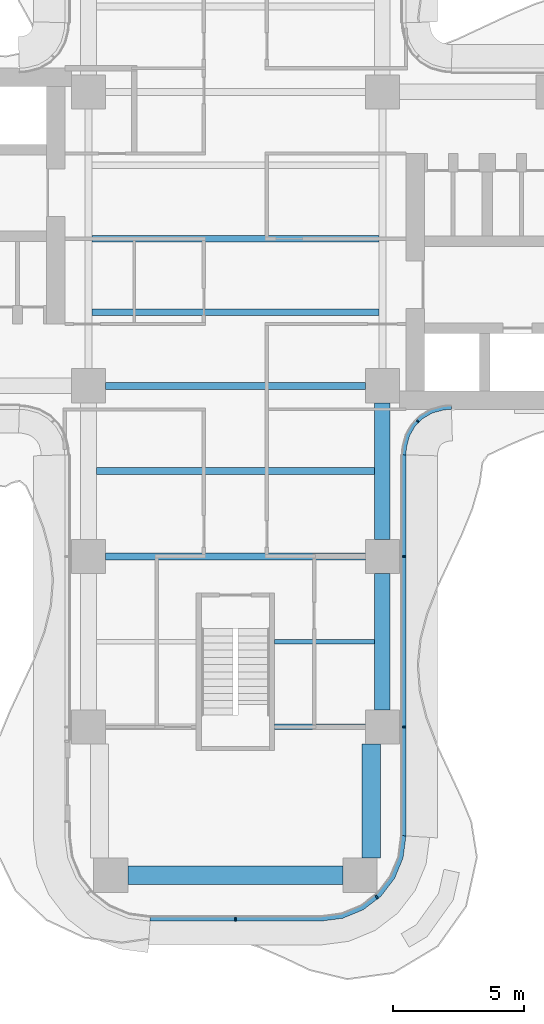
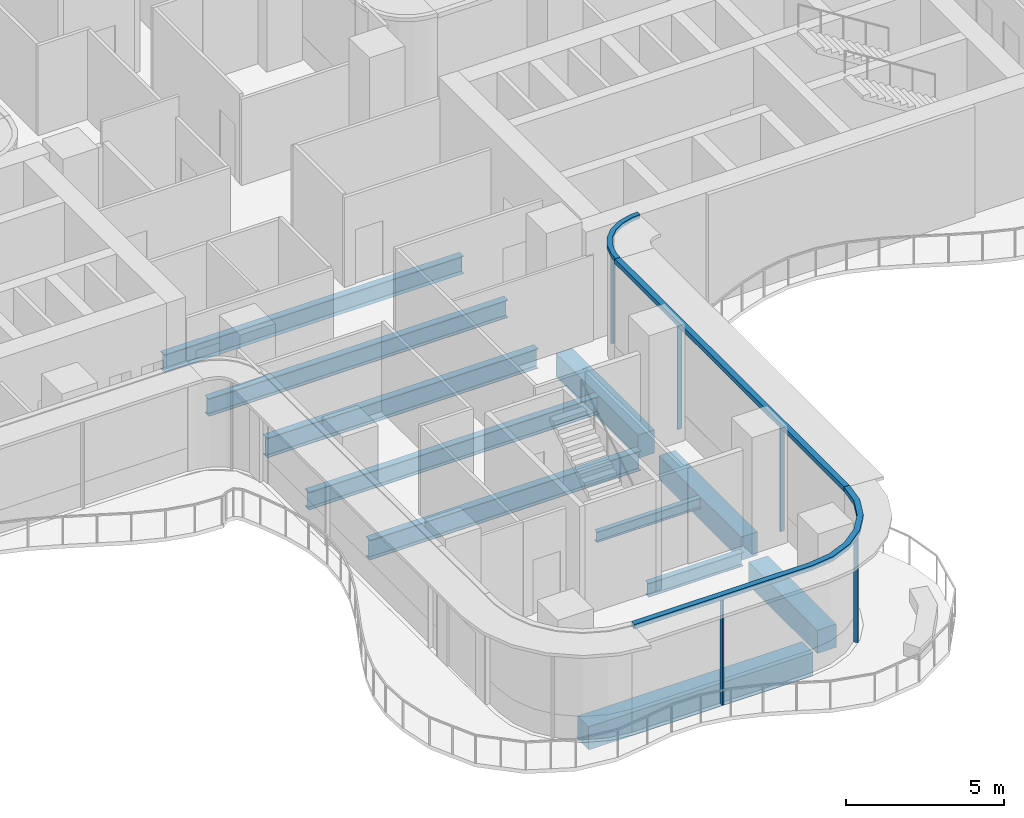
# One storey, part 5 of 20: 11 beams, 8 members, 3 elements without a shape of their own.
"""IFC4 building model written with IfcOpenShell, lengths in metres."""

from ifc_helpers import new_model, si_unit, direction, frame, origin, origin_2d, place, context, subcontext, project, spatial, polyline, rectangle, i_section, outline, extrude, source, transform, mapped, material, layer, layer_set, material_profile, profile_set, type_object, element, aggregate, save


model = new_model("IFC4")

# Units and contexts
model_context = context("Model", 3, precision=1e-05, world=origin(), true_north=direction((0.0, 1.0)))
body_context = subcontext(model_context, "Body", "Model", "MODEL_VIEW")
ifc_project = project(units=[si_unit("LENGTHUNIT", "METRE"), si_unit("AREAUNIT", "SQUARE_METRE"), si_unit("VOLUMEUNIT", "CUBIC_METRE"), si_unit("PLANEANGLEUNIT", "RADIAN"), si_unit("MASSUNIT", "GRAM", prefix="KILO")], contexts=[model_context])

# Site, building, storey
site_placement = place(None, origin())
site = spatial("IfcSite", under=ifc_project, at=site_placement, CompositionType="ELEMENT")
building_placement = place(site_placement, origin())
building = spatial("IfcBuilding", under=site, at=building_placement, Name="Trellis Farm Tower", CompositionType="ELEMENT")
storey_placement = place(building_placement, frame((0.0, 0.0, 142.5)))
storey = spatial("IfcBuildingStorey", under=building, at=storey_placement, Name="L30", CompositionType="ELEMENT", Elevation=142.5)

# Beams
ifc_material_1 = material(Name="Steel S355", Category="steel")
ifc_material_profile_1 = material_profile(ifc_material_1, i_section(OverallWidth=0.253662109375, OverallDepth=0.68359375, WebThickness=0.012451171875, FlangeThickness=0.021728515625, FilletRadius=0.01513671875, at=origin_2d()), Name="UB 686x254x140")
ifc_profile_set_1 = profile_set([ifc_material_profile_1], Name="Steel S355")
beam_type_1 = type_object("IfcBeamType", Name="UB 686x254x140 joist", PredefinedType="JOIST", material=ifc_profile_set_1)
shared_shape_1 = source(origin(), body_context, "Body", "SweptSolid", [
    extrude(i_section(OverallWidth=0.253662109375, OverallDepth=0.68359375, WebThickness=0.012451171875, FlangeThickness=0.021728515625, FilletRadius=0.01513671875, at=origin_2d()), origin(), (0.0, 0.0, 1.0), 10.93310546875),
])
for number, where, z_axis, x_axis, name in (
    (1, (-5.466552734375, -2.800048828125, -0.591796875), (1.0, 0.0, 0.0), (0.0, 1.0, 0.0), "Floor beam"),
    (2, (-5.466552734375, 0.0, -0.591796875), (1.0, 0.0, 0.0), (0.0, 1.0, 0.0), "Floor beam"),
):
    element("IfcBeam", number, at=place(storey_placement, frame(where, z_axis=z_axis, x_axis=x_axis)), inside=storey, type_object=beam_type_1, Name=name, PredefinedType="JOIST", context=body_context, shape_type="MappedRepresentation", body=[
        mapped(shared_shape_1, transform((0.0, 0.0, 0.0))),
    ])
ifc_material_profile_2 = material_profile(ifc_material_1, i_section(OverallWidth=0.177978515625, OverallDepth=0.406494140625, WebThickness=0.0078125, FlangeThickness=0.0126953125, FilletRadius=0.01025390625, at=origin_2d()), Name="UB 406x178x60")
ifc_profile_set_2 = profile_set([ifc_material_profile_2], Name="Steel S355")
beam_type_2 = type_object("IfcBeamType", Name="UB 406x178x60 joist", PredefinedType="JOIST", material=ifc_profile_set_2)
shared_shape_2 = source(origin(), body_context, "Body", "SweptSolid", [
    extrude(i_section(OverallWidth=0.177978515625, OverallDepth=0.406494140625, WebThickness=0.0078125, FlangeThickness=0.0126953125, FilletRadius=0.01025390625, at=origin_2d()), origin(), (0.0, 0.0, 1.0), 3.800048828125),
])
beam_1_placement = place(storey_placement, frame((1.5, -15.35009765625, -0.453125), z_axis=(1.0, 0.0, 0.0), x_axis=(0.0, 1.0, 0.0)))
element("IfcBeam", 3, at=beam_1_placement, inside=storey, type_object=beam_type_2, Name="Floor beam", PredefinedType="JOIST", context=body_context, shape_type="MappedRepresentation", body=[
    mapped(shared_shape_2, transform((0.0, 0.0, 0.0))),
])
shared_shape_3 = source(origin(), body_context, "Body", "SweptSolid", [
    extrude(i_section(OverallWidth=0.253662109375, OverallDepth=0.68359375, WebThickness=0.012451171875, FlangeThickness=0.021728515625, FilletRadius=0.01513671875, at=origin_2d()), origin(), (0.0, 0.0, 1.0), 10.60009765625),
])
beam_2_placement = place(storey_placement, frame((-5.300048828125, -8.85009765625, -0.591796875), z_axis=(1.0, 0.0, 0.0), x_axis=(0.0, 1.0, 0.0)))
element("IfcBeam", 4, at=beam_2_placement, inside=storey, type_object=beam_type_1, Name="Floor beam", PredefinedType="JOIST", context=body_context, shape_type="MappedRepresentation", body=[
    mapped(shared_shape_3, transform((0.0, 0.0, 0.0))),
])
ifc_material_profile_3 = material_profile(ifc_material_1, i_section(OverallWidth=0.209228515625, OverallDepth=0.533203125, WebThickness=0.010009765625, FlangeThickness=0.015625, FilletRadius=0.0126953125, at=origin_2d()), Name="UB 533x210x92")
ifc_profile_set_3 = profile_set([ifc_material_profile_3], Name="Steel S355")
beam_type_3 = type_object("IfcBeamType", Name="UB 533x210x92", PredefinedType="BEAM", material=ifc_profile_set_3)
shared_shape_4 = source(origin(), body_context, "Body", "SweptSolid", [
    extrude(i_section(OverallWidth=0.209228515625, OverallDepth=0.533203125, WebThickness=0.010009765625, FlangeThickness=0.015625, FilletRadius=0.0126953125, at=origin_2d()), origin(), (0.0, 0.0, 1.0), 3.449951171875),
])
beam_3_placement = place(storey_placement, frame((1.5, -18.60009765625, -0.5166015625), z_axis=(1.0, 0.0, 0.0), x_axis=(0.0, 1.0, 0.0)))
element("IfcBeam", 5, at=beam_3_placement, inside=storey, type_object=beam_type_3, Name="Girder", PredefinedType="BEAM", context=body_context, shape_type="MappedRepresentation", body=[
    mapped(shared_shape_4, transform((0.0, 0.0, 0.0))),
])
ifc_material_profile_4 = material_profile(ifc_material_1, i_section(OverallWidth=0.2666015625, OverallDepth=0.76220703125, WebThickness=0.014404296875, FlangeThickness=0.021484375, FilletRadius=0.0166015625, at=origin_2d()), Name="UB 762x267x173")
ifc_profile_set_4 = profile_set([ifc_material_profile_4], Name="Steel S355")
beam_type_4 = type_object("IfcBeamType", Name="UB 762x267x173", PredefinedType="BEAM", material=ifc_profile_set_4)
shared_shape_5 = source(origin(), body_context, "Body", "SweptSolid", [
    extrude(i_section(OverallWidth=0.2666015625, OverallDepth=0.76220703125, WebThickness=0.014404296875, FlangeThickness=0.021484375, FilletRadius=0.0166015625, at=origin_2d()), origin(), (0.0, 0.0, 1.0), 9.89990234375),
])
for number, where, z_axis, x_axis, name in (
    (6, (-4.949951171875, -12.10009765625, -0.631103515625), (1.0, 0.0, 0.0), (0.0, 1.0, 0.0), "Girder"),
    (7, (-4.949951171875, -5.60009765625, -0.631103515625), (1.0, 0.0, 0.0), (0.0, 1.0, 0.0), "Girder"),
):
    element("IfcBeam", number, at=place(storey_placement, frame(where, z_axis=z_axis, x_axis=x_axis)), inside=storey, type_object=beam_type_4, Name=name, PredefinedType="BEAM", context=body_context, shape_type="MappedRepresentation", body=[
        mapped(shared_shape_5, transform((0.0, 0.0, 0.0))),
    ])
ifc_material_2 = material(Name="Concrete C60/75", Category="concrete")
ifc_material_profile_5 = material_profile(ifc_material_2, rectangle(XDim=0.60009765625, YDim=0.89990234375, at=origin_2d()), Name="RC spandrel beam 600x900 C60/75")
ifc_profile_set_5 = profile_set([ifc_material_profile_5], Name="Concrete C60/75")
beam_type_5 = type_object("IfcBeamType", Name="RC spandrel beam 600x900 C60/75", PredefinedType="SPANDREL", material=ifc_profile_set_5)
shared_shape_6 = source(origin(), body_context, "Body", "SweptSolid", [
    extrude(rectangle(XDim=0.60009765625, YDim=0.89990234375, at=origin_2d()), origin(), (0.0, 0.0, 1.0), 5.199951171875),
])
for number, where, z_axis, x_axis, name in (
    (8, (5.60009765625, -17.949951171875, -0.699951171875), (0.0, 1.0, 0.0), (-1.0, 0.0, 0.0), "Girder"),
    (9, (5.60009765625, -11.449951171875, -0.699951171875), (0.0, 1.0, 0.0), (-1.0, 0.0, 0.0), "Girder"),
):
    element("IfcBeam", number, at=place(storey_placement, frame(where, z_axis=z_axis, x_axis=x_axis)), inside=storey, type_object=beam_type_5, Name=name, PredefinedType="SPANDREL", context=body_context, shape_type="MappedRepresentation", body=[
        mapped(shared_shape_6, transform((0.0, 0.0, 0.0))),
    ])
ifc_material_profile_6 = material_profile(ifc_material_2, rectangle(XDim=0.699951171875, YDim=0.89990234375, at=origin_2d()), Name="RC spandrel beam 700x900 C60/75")
ifc_profile_set_6 = profile_set([ifc_material_profile_6], Name="Concrete C60/75")
beam_type_6 = type_object("IfcBeamType", Name="RC spandrel beam 700x900 C60/75", PredefinedType="SPANDREL", material=ifc_profile_set_6)
shared_shape_7 = source(origin(), body_context, "Body", "SweptSolid", [
    extrude(rectangle(XDim=0.699951171875, YDim=0.89990234375, at=origin_2d()), origin(), (0.0, 0.0, 1.0), 4.35009765625),
])
beam_4_placement = place(storey_placement, frame((5.175048828125, -23.60009765625, -0.699951171875), z_axis=(0.0, 1.0, 0.0), x_axis=(-1.0, 0.0, 0.0)))
element("IfcBeam", 10, at=beam_4_placement, inside=storey, type_object=beam_type_6, Name="Girder", PredefinedType="SPANDREL", context=body_context, shape_type="MappedRepresentation", body=[
    mapped(shared_shape_7, transform((0.0, 0.0, 0.0))),
])
shared_shape_8 = source(origin(), body_context, "Body", "SweptSolid", [
    extrude(rectangle(XDim=0.699951171875, YDim=0.89990234375, at=origin_2d()), origin(), (0.0, 0.0, 1.0), 8.2001953125),
])
beam_5_placement = place(storey_placement, frame((-4.10009765625, -24.25, -0.699951171875), z_axis=(1.0, 0.0, 0.0), x_axis=(0.0, 1.0, 0.0)))
element("IfcBeam", 11, at=beam_5_placement, inside=storey, type_object=beam_type_6, Name="Girder", PredefinedType="SPANDREL", context=body_context, shape_type="MappedRepresentation", body=[
    mapped(shared_shape_8, transform((0.0, 0.0, 0.0))),
])

# Curtain wall, members
ifc_material_3 = material(Name="Aluminium and glass curtain wall", Category="aluminium")
ifc_layer_1 = layer(ifc_material_3, 0.18994140625)
ifc_layer_set_1 = layer_set([ifc_layer_1], Name="RIBBON CURTAIN WALL CW1")
curtain_wall_type_1 = type_object("IfcCurtainWallType", Name="RIBBON CURTAIN WALL CW1", PredefinedType="NOTDEFINED", material=ifc_layer_set_1)
placement_1 = place(storey_placement, origin())
curtain_wall_1 = element("IfcCurtainWall", 12, at=placement_1, inside=storey, type_object=curtain_wall_type_1, Name="CW1 004", PredefinedType="NOTDEFINED")
ifc_material_4 = material(Name="Aluminium extrusion 6063-T6", Category="aluminium")
ifc_material_profile_7 = material_profile(ifc_material_4, rectangle(XDim=0.06005859375, YDim=0.14990234375, at=origin_2d()), Name="MULLION 60x150")
ifc_profile_set_7 = profile_set([ifc_material_profile_7], Name="Aluminium extrusion 6063-T6")
member_type_1 = type_object("IfcMemberType", Name="CW1 MULLION 60x150", PredefinedType="MULLION", material=ifc_profile_set_7)
shared_shape_9 = source(origin(), body_context, "Body", "SweptSolid", [
    extrude(rectangle(XDim=0.06005859375, YDim=0.14990234375, at=origin_2d()), origin(), (0.0, 0.0, 1.0), 4.070068359375),
])
member_1_placement = place(storey_placement, frame((0.0, -25.925048828125, 0.0), z_axis=(0.0, 0.0, 1.0), x_axis=(1.0, 0.0, 0.0)))
member_1 = element("IfcMember", 13, at=member_1_placement, type_object=member_type_1, Name="MU1 004-01", PredefinedType="MULLION", context=body_context, shape_type="MappedRepresentation", body=[
    mapped(shared_shape_9, transform((0.0, 0.0, 0.0))),
])
member_2_placement = place(storey_placement, frame((5.385498046875, -25.078369140625, 0.0), z_axis=(0.0, 0.0, 1.0), x_axis=(0.793353340291, 0.608761429009, 0.0)))
member_2 = element("IfcMember", 14, at=member_2_placement, type_object=member_type_1, Name="MU1 004-02", PredefinedType="MULLION", context=body_context, shape_type="MappedRepresentation", body=[
    mapped(shared_shape_9, transform((0.0, 0.0, 0.0))),
])

curtain_wall_2 = element("IfcCurtainWall", 15, at=placement_1, inside=storey, type_object=curtain_wall_type_1, Name="CW1 005", PredefinedType="NOTDEFINED")
member_3_placement = place(storey_placement, frame((6.425048828125, -18.60009765625, 0.0), z_axis=(0.0, 0.0, 1.0), x_axis=(0.0, 1.0, 0.0)))
member_3 = element("IfcMember", 16, at=member_3_placement, type_object=member_type_1, Name="MU1 005-01", PredefinedType="MULLION", context=body_context, shape_type="MappedRepresentation", body=[
    mapped(shared_shape_9, transform((0.0, 0.0, 0.0))),
])
member_4_placement = place(storey_placement, frame((6.425048828125, -12.10009765625, 0.0), z_axis=(0.0, 0.0, 1.0), x_axis=(0.0, 1.0, 0.0)))
member_4 = element("IfcMember", 17, at=member_4_placement, type_object=member_type_1, Name="MU1 005-02", PredefinedType="MULLION", context=body_context, shape_type="MappedRepresentation", body=[
    mapped(shared_shape_9, transform((0.0, 0.0, 0.0))),
])

ifc_layer_2 = layer(ifc_material_3, 0.166015625)
ifc_layer_set_2 = layer_set([ifc_layer_2], Name="WINTER GARDEN CURTAIN WALL CW3")
curtain_wall_type_2 = type_object("IfcCurtainWallType", Name="WINTER GARDEN CURTAIN WALL CW3", PredefinedType="NOTDEFINED", material=ifc_layer_set_2)
curtain_wall_3 = element("IfcCurtainWall", 18, at=placement_1, inside=storey, type_object=curtain_wall_type_2, Name="CW3 002", PredefinedType="NOTDEFINED")
ifc_material_profile_8 = material_profile(ifc_material_4, rectangle(XDim=0.050048828125, YDim=0.1201171875, at=origin_2d()), Name="MULLION 50x120")
ifc_profile_set_8 = profile_set([ifc_material_profile_8], Name="Aluminium extrusion 6063-T6")
member_type_2 = type_object("IfcMemberType", Name="CW3 MULLION 50x120", PredefinedType="MULLION", material=ifc_profile_set_8)
shared_shape_10 = source(origin(), body_context, "Body", "SweptSolid", [
    extrude(rectangle(XDim=0.050048828125, YDim=0.1201171875, at=origin_2d()), origin(), (0.0, 0.0, 1.0), 4.10009765625),
])
member_5_placement = place(storey_placement, frame((6.953125, -6.953125, 0.0), z_axis=(0.0, 0.0, 1.0), x_axis=(0.707106781187, 0.707106781187, 0.0)))
member_5 = element("IfcMember", 19, at=member_5_placement, type_object=member_type_2, Name="MU3 002-01", PredefinedType="MULLION", context=body_context, shape_type="MappedRepresentation", body=[
    mapped(shared_shape_10, transform((0.0, 0.0, 0.0))),
])
ifc_layer_3 = layer(ifc_material_4, 0.169921875)
ifc_layer_set_3 = layer_set([ifc_layer_3], Name="Aluminium extrusion 6063-T6")
member_type_3 = type_object("IfcMemberType", Name="CW3 TRANSOM 170x150", PredefinedType="USERDEFINED", material=ifc_layer_set_3)
shared_shape_11 = source(origin(), body_context, "Body", "SweptSolid", [
    extrude(outline(polyline([(6.5, -8.2314453125), (6.513916015625, -8.01953125), (6.527587890625, -7.91552734375), (6.63671875, -7.508544921875), (6.846923828125, -7.144287109375), (7.144287109375, -6.846923828125), (7.508544921875, -6.63671875), (7.91552734375, -6.527587890625), (8.01953125, -6.513916015625), (8.2314453125, -6.5), (8.225830078125, -6.330078125), (8.0029296875, -6.3447265625), (7.88232421875, -6.360595703125), (7.44287109375, -6.478271484375), (7.0400390625, -6.7109375), (6.7109375, -7.0400390625), (6.478271484375, -7.44287109375), (6.360595703125, -7.88232421875), (6.3447265625, -8.0029296875), (6.330078125, -8.225830078125), (6.5, -8.2314453125)])), origin(), (0.0, 0.0, 1.0), 0.14990234375),
])
member_6_placement = place(storey_placement, frame((0.0, 0.0, 4.10009765625)))
member_6 = element("IfcMember", 20, at=member_6_placement, type_object=member_type_3, Name="TR3 002", ObjectType="TRANSOM", PredefinedType="USERDEFINED", context=body_context, shape_type="MappedRepresentation", body=[
    mapped(shared_shape_11, transform((0.0, 0.0, 0.0))),
])
aggregate(curtain_wall_3, [member_5, member_6])

# Member
ifc_layer_4 = layer(ifc_material_4, 0.199951171875)
ifc_layer_set_4 = layer_set([ifc_layer_4], Name="Aluminium extrusion 6063-T6")
member_type_4 = type_object("IfcMemberType", Name="CW1 TRANSOM 200x180", PredefinedType="USERDEFINED", material=ifc_layer_set_4)
shared_shape_12 = source(origin(), body_context, "Body", "SweptSolid", [
    extrude(outline(polyline([(6.5, -22.75), (6.5, -8.2314453125), (6.300048828125, -8.224853515625), (6.300048828125, -22.73681640625), (6.5, -22.75)])), origin(), (0.0, 0.0, 1.0), 0.179931640625),
])
placement_2 = place(storey_placement, frame((0.0, 0.0, 4.070068359375)))
member_7 = element("IfcMember", 21, at=placement_2, type_object=member_type_4, Name="TR1 005", ObjectType="TRANSOM", PredefinedType="USERDEFINED", context=body_context, shape_type="MappedRepresentation", body=[
    mapped(shared_shape_12, transform((0.0, 0.0, 0.0))),
])

aggregate(curtain_wall_2, [member_3, member_4, member_7])

shared_shape_13 = source(origin(), body_context, "Body", "SweptSolid", [
    extrude(outline(polyline([(-3.25, -26.0), (3.25, -26.0), (4.091064453125, -25.88916015625), (4.875, -25.564697265625), (5.548095703125, -25.048095703125), (6.064697265625, -24.375), (6.38916015625, -23.591064453125), (6.5, -22.75), (6.300048828125, -22.73681640625), (6.1943359375, -23.5390625), (5.889892578125, -24.274169921875), (5.405517578125, -24.905517578125), (4.774169921875, -25.389892578125), (4.0390625, -25.6943359375), (3.23681640625, -25.800048828125), (-3.23681640625, -25.800048828125), (-3.25, -26.0)])), origin(), (0.0, 0.0, 1.0), 0.179931640625),
])
member_8 = element("IfcMember", 22, at=placement_2, type_object=member_type_4, Name="TR1 004", ObjectType="TRANSOM", PredefinedType="USERDEFINED", context=body_context, shape_type="MappedRepresentation", body=[
    mapped(shared_shape_13, transform((0.0, 0.0, 0.0))),
])

aggregate(curtain_wall_1, [member_1, member_2, member_8])

save(model, "model.ifc")
